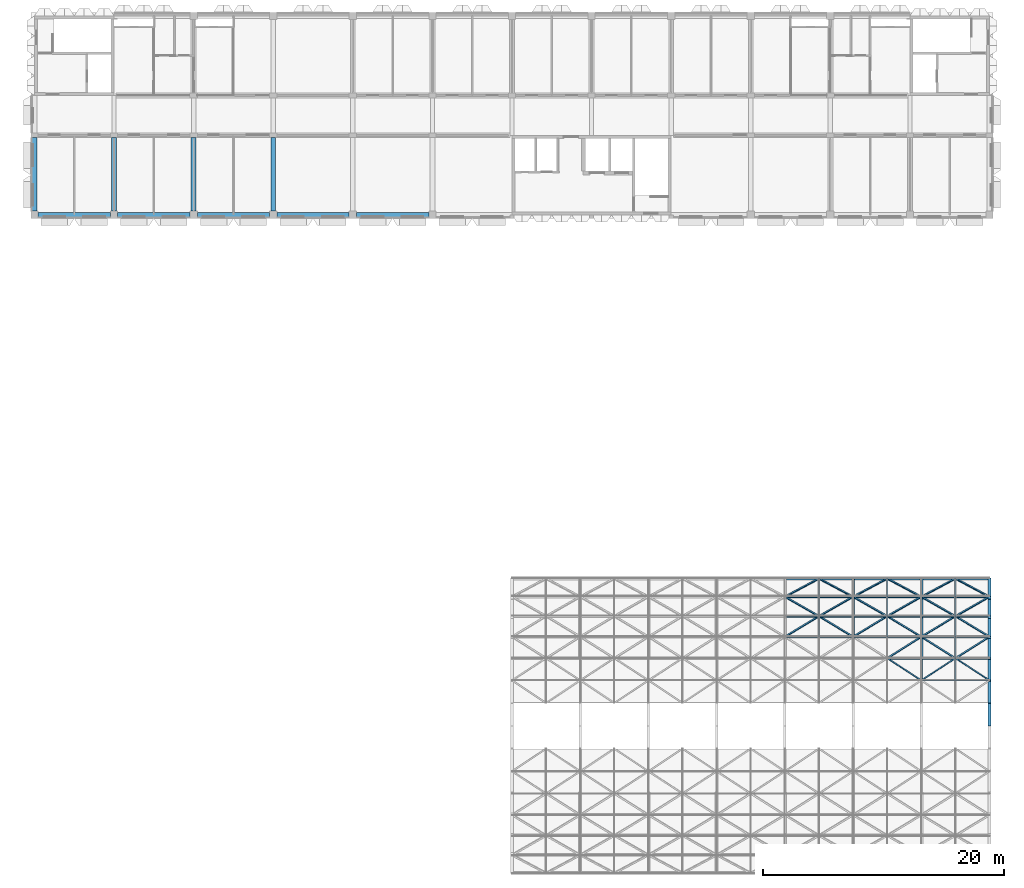
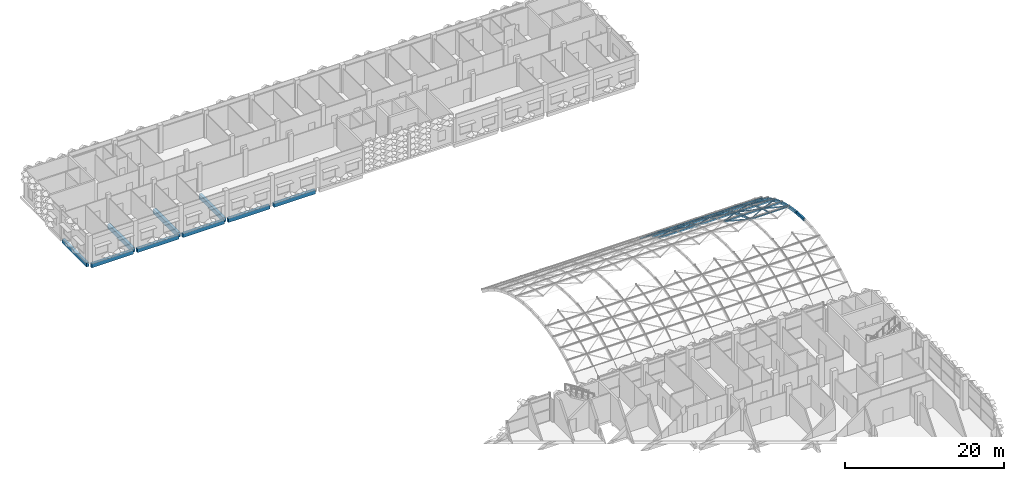
# One storey, part 17 of 85: 79 members, 9 beams.
"""IFC4 building model written with IfcOpenShell, lengths in metres."""

from ifc_helpers import new_model, si_unit, direction, frame, origin, origin_2d, place, context, subcontext, project, spatial, rectangle, hollow_rectangle, extrude, material, material_profile, profile_set, type_object, element, save


model = new_model("IFC4")

# Units and contexts
model_context = context("Model", 3, precision=1e-05, world=origin(), true_north=direction((0.0, 1.0)))
body_context = subcontext(model_context, "Body", "Model", "MODEL_VIEW")
ifc_project = project(units=[si_unit("LENGTHUNIT", "METRE"), si_unit("AREAUNIT", "SQUARE_METRE"), si_unit("VOLUMEUNIT", "CUBIC_METRE"), si_unit("PLANEANGLEUNIT", "RADIAN"), si_unit("MASSUNIT", "GRAM", prefix="KILO")], contexts=[model_context])

# Site, building, storey
site_placement = place(None, origin())
site = spatial("IfcSite", under=ifc_project, at=site_placement, CompositionType="ELEMENT")
building_placement = place(site_placement, origin())
building = spatial("IfcBuilding", under=site, at=building_placement, Name="Lantern Court Research Institute", CompositionType="ELEMENT")
storey_placement = place(building_placement, frame((0.0, 0.0, 18.89990234375)))
storey = spatial("IfcBuildingStorey", under=building, at=storey_placement, Name="L04", CompositionType="ELEMENT", Elevation=18.89990234375)

# Members
ifc_material_1 = material(Name="Structural steel S355", Category="steel")
ifc_material_profile_1 = material_profile(ifc_material_1, hollow_rectangle(XDim=0.25, YDim=0.39990234375, WallThickness=0.01611328125, at=origin_2d()), Name="Gable arch RHS 400 x 250 x 16")
ifc_profile_set_1 = profile_set([ifc_material_profile_1], Name="Structural steel S355")
member_type_1 = type_object("IfcMemberType", Name="Gable arch RHS 400 x 250 x 16", PredefinedType="RAFTER", material=ifc_profile_set_1)
member_1_placement = place(storey_placement, frame((79.199951171875, 40.114990234375, 4.500244140625), z_axis=(0.0, 0.998733707136, -0.050308868311), x_axis=(-1.0, 0.0, 0.0)))
element("IfcMember", 1, at=member_1_placement, inside=storey, type_object=member_type_1, Name="Gable arch", PredefinedType="RAFTER", context=body_context, shape_type="SweptSolid", body=[
    extrude(hollow_rectangle(XDim=0.25, YDim=0.39990234375, WallThickness=0.01611328125, at=origin_2d()), origin(), (0.0, 0.0, 1.0), 1.90234375),
])
for number, where, z_axis, x_axis, name in (
    (2, (79.199951171875, 41.994873046875, 4.40673828125), (0.0, 0.988606386846, -0.150523791767), (-1.0, 0.0, 0.0), "Gable arch"),
    (3, (79.199951171875, 43.85595703125, 4.124267578125), (0.0, 0.968482319701, -0.249082308538), (-1.0, 0.0, 0.0), "Gable arch"),
    (4, (79.199951171875, 45.67919921875, 3.656494140625), (0.0, 0.938535764551, -0.345182008018), (-1.0, 0.0, 0.0), "Gable arch"),
):
    element("IfcMember", number, at=place(storey_placement, frame(where, z_axis=z_axis, x_axis=x_axis)), inside=storey, type_object=member_type_1, Name=name, PredefinedType="RAFTER", context=body_context, shape_type="SweptSolid", body=[
        extrude(hollow_rectangle(XDim=0.25, YDim=0.39990234375, WallThickness=0.01611328125, at=origin_2d()), origin(), (0.0, 0.0, 1.0), 1.902587890625),
    ])
member_2_placement = place(storey_placement, frame((79.199951171875, 47.4462890625, 3.007568359375), z_axis=(0.0, 0.899099966644, -0.437743360865), x_axis=(-1.0, 0.0, 0.0)))
element("IfcMember", 5, at=member_2_placement, inside=storey, type_object=member_type_1, Name="Gable arch", PredefinedType="RAFTER", context=body_context, shape_type="SweptSolid", body=[
    extrude(hollow_rectangle(XDim=0.25, YDim=0.39990234375, WallThickness=0.01611328125, at=origin_2d()), origin(), (0.0, 0.0, 1.0), 1.90234375),
])
member_3_placement = place(storey_placement, frame((79.199951171875, 49.138916015625, 2.1845703125), z_axis=(0.0, 0.850497510265, -0.525979072809), x_axis=(-1.0, 0.0, 0.0)))
element("IfcMember", 6, at=member_3_placement, inside=storey, type_object=member_type_1, Name="Gable arch", PredefinedType="RAFTER", context=body_context, shape_type="SweptSolid", body=[
    extrude(hollow_rectangle(XDim=0.25, YDim=0.39990234375, WallThickness=0.01611328125, at=origin_2d()), origin(), (0.0, 0.0, 1.0), 1.902587890625),
])
member_4_placement = place(storey_placement, frame((79.199951171875, 50.740478515625, 1.1953125), z_axis=(0.0, 0.793329505358, -0.608792490039), x_axis=(-1.0, 0.0, 0.0)))
element("IfcMember", 7, at=member_4_placement, inside=storey, type_object=member_type_1, Name="Gable arch", PredefinedType="RAFTER", context=body_context, shape_type="SweptSolid", body=[
    extrude(hollow_rectangle(XDim=0.25, YDim=0.39990234375, WallThickness=0.01611328125, at=origin_2d()), origin(), (0.0, 0.0, 1.0), 1.90234375),
])
ifc_material_2 = material(Name="Structural steel S355", Category="steel")
ifc_material_profile_2 = material_profile(ifc_material_2, hollow_rectangle(XDim=0.080078125, YDim=0.159912109375, WallThickness=0.00634765625, at=origin_2d()), Name="Gridshell crown purlin RHS 160 x 80 x 6.3")
ifc_profile_set_2 = profile_set([ifc_material_profile_2], Name="Structural steel S355")
member_type_2 = type_object("IfcMemberType", Name="Gridshell crown purlin RHS 160 x 80 x 6.3", PredefinedType="PURLIN", material=ifc_profile_set_2)
member_5_placement = place(storey_placement, frame((73.642822265625, 43.889892578125, 4.23974609375), z_axis=(1.0, 0.0, 0.0), x_axis=(0.0, 0.979787176632, -0.200042716708)))
element("IfcMember", 8, at=member_5_placement, inside=storey, type_object=member_type_2, Name="Gridshell purlin", PredefinedType="PURLIN", context=body_context, shape_type="SweptSolid", body=[
    extrude(hollow_rectangle(XDim=0.080078125, YDim=0.159912109375, WallThickness=0.00634765625, at=origin_2d()), origin(), (0.0, 0.0, 1.0), 2.668701171875),
])
member_6_placement = place(storey_placement, frame((76.431396484375, 43.889892578125, 4.23974609375), z_axis=(1.0, 0.0, 0.0), x_axis=(0.0, 0.979787176632, -0.200042716708)))
element("IfcMember", 9, at=member_6_placement, inside=storey, type_object=member_type_2, Name="Gridshell purlin", PredefinedType="PURLIN", context=body_context, shape_type="SweptSolid", body=[
    extrude(hollow_rectangle(XDim=0.080078125, YDim=0.159912109375, WallThickness=0.00634765625, at=origin_2d()), origin(), (0.0, 0.0, 1.0), 2.6435546875),
])
ifc_material_3 = material(Name="Structural steel S355", Category="steel")
ifc_material_profile_3 = material_profile(ifc_material_3, hollow_rectangle(XDim=0.199951171875, YDim=0.300048828125, WallThickness=0.012451171875, at=origin_2d()), Name="Gridshell crown rib RHS 300 x 200 x 12.5")
ifc_profile_set_3 = profile_set([ifc_material_profile_3], Name="Structural steel S355")
member_type_3 = type_object("IfcMemberType", Name="Gridshell crown rib RHS 300 x 200 x 12.5", PredefinedType="RAFTER", material=ifc_profile_set_3)
member_7_placement = place(storey_placement, frame((73.54296875, 43.868408203125, 4.1728515625), z_axis=(0.0, 0.968482319701, -0.249082308538), x_axis=(-1.0, 0.0, 0.0)))
element("IfcMember", 10, at=member_7_placement, inside=storey, type_object=member_type_3, Name="Gridshell rib", PredefinedType="RAFTER", context=body_context, shape_type="SweptSolid", body=[
    extrude(hollow_rectangle(XDim=0.199951171875, YDim=0.300048828125, WallThickness=0.012451171875, at=origin_2d()), origin(), (0.0, 0.0, 1.0), 1.902587890625),
])
ifc_material_4 = material(Name="Structural steel S355", Category="steel")
ifc_material_profile_4 = material_profile(ifc_material_4, hollow_rectangle(XDim=0.10009765625, YDim=0.10009765625, WallThickness=0.00634765625, at=origin_2d()), Name="Gridshell diagonal RHS 100 x 100 x 6.3")
ifc_profile_set_4 = profile_set([ifc_material_profile_4], Name="Structural steel S355")
member_type_4 = type_object("IfcMemberType", Name="Gridshell diagonal RHS 100 x 100 x 6.3", PredefinedType="BRACE", material=ifc_profile_set_4)
member_8_placement = place(storey_placement, frame((73.54296875, 43.893310546875, 4.26953125), z_axis=(-0.829775619624, 0.540507215717, -0.139012124779), x_axis=(-0.558097142967, -0.803618783295, 0.206698887629)))
element("IfcMember", 11, at=member_8_placement, inside=storey, type_object=member_type_4, Name="Gridshell diagonal", PredefinedType="BRACE", context=body_context, shape_type="SweptSolid", body=[
    extrude(hollow_rectangle(XDim=0.10009765625, YDim=0.10009765625, WallThickness=0.00634765625, at=origin_2d()), origin(), (0.0, 0.0, 1.0), 3.408935546875),
])
member_9_placement = place(storey_placement, frame((73.54296875, 43.893310546875, 4.26953125), z_axis=(0.829753310349, 0.540539338213, -0.139020386309), x_axis=(-0.558130310777, 0.803595810166, -0.20669864556)))
element("IfcMember", 12, at=member_9_placement, inside=storey, type_object=member_type_4, Name="Gridshell diagonal", PredefinedType="BRACE", context=body_context, shape_type="SweptSolid", body=[
    extrude(hollow_rectangle(XDim=0.10009765625, YDim=0.10009765625, WallThickness=0.00634765625, at=origin_2d()), origin(), (0.0, 0.0, 1.0), 3.40869140625),
])
member_10_placement = place(storey_placement, frame((79.199951171875, 43.893310546875, 4.26953125), z_axis=(-0.829775619624, 0.540507215717, -0.139012124779), x_axis=(-0.558097142967, -0.803618783295, 0.206698887629)))
element("IfcMember", 13, at=member_10_placement, inside=storey, type_object=member_type_4, Name="Gridshell diagonal", PredefinedType="BRACE", context=body_context, shape_type="SweptSolid", body=[
    extrude(hollow_rectangle(XDim=0.10009765625, YDim=0.10009765625, WallThickness=0.00634765625, at=origin_2d()), origin(), (0.0, 0.0, 1.0), 3.408935546875),
])
ifc_material_5 = material(Name="Structural steel S355", Category="steel")
ifc_material_profile_5 = material_profile(ifc_material_5, hollow_rectangle(XDim=0.1201171875, YDim=0.1201171875, WallThickness=0.008056640625, at=origin_2d()), Name="Gridshell haunch diagonal RHS 120 x 120 x 8")
ifc_profile_set_5 = profile_set([ifc_material_profile_5], Name="Structural steel S355")
member_type_5 = type_object("IfcMemberType", Name="Gridshell haunch diagonal RHS 120 x 120 x 8", PredefinedType="BRACE", material=ifc_profile_set_5)
for number, where, z_axis, x_axis, name in (
    (14, (62.228515625, 47.507568359375, 3.133544921875), (0.829773300042, 0.501760032806, -0.244362722229), (-0.558100591295, 0.746025342522, -0.363276641571), "Gridshell diagonal"),
    (15, (65.05712890625, 49.212646484375, 2.303466796875), (-0.82977711353, 0.474690377048, -0.293494442538), (-0.558094919699, -0.705724175305, 0.436444096072), "Gridshell diagonal"),
    (16, (62.228515625, 50.82568359375, 1.306396484375), (0.82977993963, 0.442749834869, -0.339761439117), (-0.558090719968, 0.658279580966, -0.505175951099), "Gridshell diagonal"),
    (17, (67.8857421875, 47.507568359375, 3.133544921875), (-0.829773300042, 0.501760032806, -0.244362722229), (-0.558100591295, -0.746025342522, 0.363276641571), "Gridshell diagonal"),
    (18, (65.05712890625, 49.212646484375, 2.303466796875), (0.82977711353, 0.474690377048, -0.293494442538), (-0.558094919699, 0.705724175305, -0.436444096072), "Gridshell diagonal"),
    (19, (67.8857421875, 50.82568359375, 1.306396484375), (-0.82977993963, 0.442749834869, -0.339761439117), (-0.558090719968, -0.658279580966, 0.505175951099), "Gridshell diagonal"),
    (20, (67.8857421875, 47.507568359375, 3.133544921875), (0.829773300042, 0.501760032806, -0.244362722229), (-0.558100591295, 0.746025342522, -0.363276641571), "Gridshell diagonal"),
    (21, (70.71435546875, 49.212646484375, 2.303466796875), (-0.82977711353, 0.474690377048, -0.293494442538), (-0.558094919699, -0.705724175305, 0.436444096072), "Gridshell diagonal"),
    (22, (67.8857421875, 50.82568359375, 1.306396484375), (0.82977993963, 0.442749834869, -0.339761439117), (-0.558090719968, 0.658279580966, -0.505175951099), "Gridshell diagonal"),
    (23, (70.71435546875, 45.7275390625, 3.787841796875), (0.829762838758, 0.523811962945, -0.192651651671), (-0.558116144955, 0.778754373318, -0.286440211525), "Gridshell diagonal"),
    (24, (73.54296875, 47.507568359375, 3.133544921875), (-0.829773300042, 0.501760032806, -0.244362722229), (-0.558100591295, -0.746025342522, 0.363276641571), "Gridshell diagonal"),
    (25, (70.71435546875, 49.212646484375, 2.303466796875), (0.82977711353, 0.474690377048, -0.293494442538), (-0.558094919699, 0.705724175305, -0.436444096072), "Gridshell diagonal"),
    (26, (73.54296875, 50.82568359375, 1.306396484375), (-0.82977993963, 0.442749834869, -0.339761439117), (-0.558090719968, -0.658279580966, 0.505175951099), "Gridshell diagonal"),
):
    element("IfcMember", number, at=place(storey_placement, frame(where, z_axis=z_axis, x_axis=x_axis)), inside=storey, type_object=member_type_5, Name=name, PredefinedType="BRACE", context=body_context, shape_type="SweptSolid", body=[
        extrude(hollow_rectangle(XDim=0.1201171875, YDim=0.1201171875, WallThickness=0.008056640625, at=origin_2d()), origin(), (0.0, 0.0, 1.0), 3.408935546875),
    ])
for number, where, z_axis, x_axis, name in (
    (27, (76.371337890625, 45.7275390625, 3.787841796875), (-0.829740528308, 0.523843092278, -0.19266310066), (-0.558149312823, -0.778730842923, 0.28643955536), "Gridshell diagonal"),
    (28, (73.54296875, 47.507568359375, 3.133544921875), (0.829750990554, 0.50178985238, -0.244377244693), (-0.558133759376, 0.746001196046, -0.363275270481), "Gridshell diagonal"),
    (29, (76.371337890625, 49.212646484375, 2.303466796875), (-0.829754804392, 0.474718588132, -0.293511885058), (-0.55812808698, -0.705699457062, 0.436441651113), "Gridshell diagonal"),
    (30, (73.54296875, 50.82568359375, 1.306396484375), (0.829757630752, 0.442776147891, -0.339781631445), (-0.558123887656, 0.658254466927, -0.505172032874), "Gridshell diagonal"),
):
    element("IfcMember", number, at=place(storey_placement, frame(where, z_axis=z_axis, x_axis=x_axis)), inside=storey, type_object=member_type_5, Name=name, PredefinedType="BRACE", context=body_context, shape_type="SweptSolid", body=[
        extrude(hollow_rectangle(XDim=0.1201171875, YDim=0.1201171875, WallThickness=0.008056640625, at=origin_2d()), origin(), (0.0, 0.0, 1.0), 3.40869140625),
    ])
for number, where, z_axis, x_axis, name in (
    (31, (76.371337890625, 45.7275390625, 3.787841796875), (0.829762838758, 0.523811962945, -0.192651651671), (-0.558116144955, 0.778754373318, -0.286440211525), "Gridshell diagonal"),
    (32, (79.199951171875, 47.507568359375, 3.133544921875), (-0.829773300042, 0.501760032806, -0.244362722229), (-0.558100591295, -0.746025342522, 0.363276641571), "Gridshell diagonal"),
    (33, (76.371337890625, 49.212646484375, 2.303466796875), (0.82977711353, 0.474690377048, -0.293494442538), (-0.558094919699, 0.705724175305, -0.436444096072), "Gridshell diagonal"),
    (34, (79.199951171875, 50.82568359375, 1.306396484375), (-0.82977993963, 0.442749834869, -0.339761439117), (-0.558090719968, -0.658279580966, 0.505175951099), "Gridshell diagonal"),
):
    element("IfcMember", number, at=place(storey_placement, frame(where, z_axis=z_axis, x_axis=x_axis)), inside=storey, type_object=member_type_5, Name=name, PredefinedType="BRACE", context=body_context, shape_type="SweptSolid", body=[
        extrude(hollow_rectangle(XDim=0.1201171875, YDim=0.1201171875, WallThickness=0.008056640625, at=origin_2d()), origin(), (0.0, 0.0, 1.0), 3.408935546875),
    ])
ifc_material_6 = material(Name="Structural steel S355", Category="steel")
ifc_material_profile_6 = material_profile(ifc_material_6, hollow_rectangle(XDim=0.25, YDim=0.35009765625, WallThickness=0.01611328125, at=origin_2d()), Name="Gridshell haunch rib RHS 350 x 250 x 16")
ifc_profile_set_6 = profile_set([ifc_material_profile_6], Name="Structural steel S355")
member_type_6 = type_object("IfcMemberType", Name="Gridshell haunch rib RHS 350 x 250 x 16", PredefinedType="RAFTER", material=ifc_profile_set_6)
member_11_placement = place(storey_placement, frame((67.8857421875, 47.457275390625, 3.030029296875), z_axis=(0.0, 0.899099966644, -0.437743360865), x_axis=(-1.0, 0.0, 0.0)))
element("IfcMember", 35, at=member_11_placement, inside=storey, type_object=member_type_6, Name="Gridshell rib", PredefinedType="RAFTER", context=body_context, shape_type="SweptSolid", body=[
    extrude(hollow_rectangle(XDim=0.25, YDim=0.35009765625, WallThickness=0.01611328125, at=origin_2d()), origin(), (0.0, 0.0, 1.0), 1.90234375),
])
member_12_placement = place(storey_placement, frame((67.8857421875, 49.152099609375, 2.205810546875), z_axis=(0.0, 0.850497510265, -0.525979072809), x_axis=(-1.0, 0.0, 0.0)))
element("IfcMember", 36, at=member_12_placement, inside=storey, type_object=member_type_6, Name="Gridshell rib", PredefinedType="RAFTER", context=body_context, shape_type="SweptSolid", body=[
    extrude(hollow_rectangle(XDim=0.25, YDim=0.35009765625, WallThickness=0.01611328125, at=origin_2d()), origin(), (0.0, 0.0, 1.0), 1.902587890625),
])
for number, where, z_axis, x_axis, name in (
    (37, (67.8857421875, 50.755615234375, 1.215087890625), (0.0, 0.793329505358, -0.608792490039), (-1.0, 0.0, 0.0), "Gridshell rib"),
    (38, (73.54296875, 45.68798828125, 3.679931640625), (0.0, 0.938520472327, -0.345223584105), (-1.0, 0.0, 0.0), "Gridshell rib"),
    (39, (73.54296875, 47.457275390625, 3.030029296875), (0.0, 0.899099966644, -0.437743360865), (-1.0, 0.0, 0.0), "Gridshell rib"),
):
    element("IfcMember", number, at=place(storey_placement, frame(where, z_axis=z_axis, x_axis=x_axis)), inside=storey, type_object=member_type_6, Name=name, PredefinedType="RAFTER", context=body_context, shape_type="SweptSolid", body=[
        extrude(hollow_rectangle(XDim=0.25, YDim=0.35009765625, WallThickness=0.01611328125, at=origin_2d()), origin(), (0.0, 0.0, 1.0), 1.90234375),
    ])
member_13_placement = place(storey_placement, frame((73.54296875, 49.152099609375, 2.205810546875), z_axis=(0.0, 0.850497510265, -0.525979072809), x_axis=(-1.0, 0.0, 0.0)))
element("IfcMember", 40, at=member_13_placement, inside=storey, type_object=member_type_6, Name="Gridshell rib", PredefinedType="RAFTER", context=body_context, shape_type="SweptSolid", body=[
    extrude(hollow_rectangle(XDim=0.25, YDim=0.35009765625, WallThickness=0.01611328125, at=origin_2d()), origin(), (0.0, 0.0, 1.0), 1.902587890625),
])
member_14_placement = place(storey_placement, frame((73.54296875, 50.755615234375, 1.215087890625), z_axis=(0.0, 0.793329505358, -0.608792490039), x_axis=(-1.0, 0.0, 0.0)))
element("IfcMember", 41, at=member_14_placement, inside=storey, type_object=member_type_6, Name="Gridshell rib", PredefinedType="RAFTER", context=body_context, shape_type="SweptSolid", body=[
    extrude(hollow_rectangle(XDim=0.25, YDim=0.35009765625, WallThickness=0.01611328125, at=origin_2d()), origin(), (0.0, 0.0, 1.0), 1.90234375),
])
ifc_material_7 = material(Name="Structural steel S355", Category="steel")
ifc_material_profile_7 = material_profile(ifc_material_7, hollow_rectangle(XDim=0.10009765625, YDim=0.199951171875, WallThickness=0.008056640625, at=origin_2d()), Name="Gridshell purlin RHS 200 x 100 x 8")
ifc_profile_set_7 = profile_set([ifc_material_profile_7], Name="Structural steel S355")
member_type_7 = type_object("IfcMemberType", Name="Gridshell purlin RHS 200 x 100 x 8", PredefinedType="PURLIN", material=ifc_profile_set_7)
member_15_placement = place(storey_placement, frame((70.774169921875, 45.718505859375, 3.748779296875), z_axis=(1.0, 0.0, 0.0), x_axis=(0.0, 0.954713115517, -0.29752792652)))
element("IfcMember", 42, at=member_15_placement, inside=storey, type_object=member_type_7, Name="Gridshell purlin", PredefinedType="PURLIN", context=body_context, shape_type="SweptSolid", body=[
    extrude(hollow_rectangle(XDim=0.10009765625, YDim=0.199951171875, WallThickness=0.008056640625, at=origin_2d()), origin(), (0.0, 0.0, 1.0), 2.643798828125),
])
for number, where, z_axis, x_axis, name in (
    (43, (73.66796875, 45.718505859375, 3.748779296875), (1.0, 0.0, 0.0), (0.0, 0.954713115517, -0.29752792652), "Gridshell purlin"),
    (44, (76.431396484375, 45.718505859375, 3.748779296875), (1.0, 0.0, 0.0), (0.0, 0.954713115517, -0.29752792652), "Gridshell purlin"),
    (45, (62.353515625, 47.49462890625, 3.095458984375), (1.0, 0.0, 0.0), (0.0, 0.919965822984, -0.391998577219), "Gridshell purlin"),
    (46, (65.1171875, 47.49462890625, 3.095458984375), (1.0, 0.0, 0.0), (0.0, 0.919965822984, -0.391998577219), "Gridshell purlin"),
    (47, (68.0107421875, 47.49462890625, 3.095458984375), (1.0, 0.0, 0.0), (0.0, 0.919965822984, -0.391998577219), "Gridshell purlin"),
):
    element("IfcMember", number, at=place(storey_placement, frame(where, z_axis=z_axis, x_axis=x_axis)), inside=storey, type_object=member_type_7, Name=name, PredefinedType="PURLIN", context=body_context, shape_type="SweptSolid", body=[
        extrude(hollow_rectangle(XDim=0.10009765625, YDim=0.199951171875, WallThickness=0.008056640625, at=origin_2d()), origin(), (0.0, 0.0, 1.0), 2.6435546875),
    ])
member_16_placement = place(storey_placement, frame((70.774169921875, 47.49462890625, 3.095458984375), z_axis=(1.0, 0.0, 0.0), x_axis=(0.0, 0.919965822984, -0.391998577219)))
element("IfcMember", 48, at=member_16_placement, inside=storey, type_object=member_type_7, Name="Gridshell purlin", PredefinedType="PURLIN", context=body_context, shape_type="SweptSolid", body=[
    extrude(hollow_rectangle(XDim=0.10009765625, YDim=0.199951171875, WallThickness=0.008056640625, at=origin_2d()), origin(), (0.0, 0.0, 1.0), 2.643798828125),
])
for number, where, z_axis, x_axis, name in (
    (49, (73.66796875, 47.49462890625, 3.095458984375), (1.0, 0.0, 0.0), (0.0, 0.919965822984, -0.391998577219), "Gridshell purlin"),
    (50, (76.431396484375, 47.49462890625, 3.095458984375), (1.0, 0.0, 0.0), (0.0, 0.919965822984, -0.391998577219), "Gridshell purlin"),
    (51, (62.353515625, 49.196044921875, 2.266845703125), (1.0, 0.0, 0.0), (0.0, 0.875897373228, -0.482497452399), "Gridshell purlin"),
    (52, (65.1171875, 49.196044921875, 2.266845703125), (1.0, 0.0, 0.0), (0.0, 0.875897373228, -0.482497452399), "Gridshell purlin"),
    (53, (68.0107421875, 49.196044921875, 2.266845703125), (1.0, 0.0, 0.0), (0.0, 0.875897373228, -0.482497452399), "Gridshell purlin"),
):
    element("IfcMember", number, at=place(storey_placement, frame(where, z_axis=z_axis, x_axis=x_axis)), inside=storey, type_object=member_type_7, Name=name, PredefinedType="PURLIN", context=body_context, shape_type="SweptSolid", body=[
        extrude(hollow_rectangle(XDim=0.10009765625, YDim=0.199951171875, WallThickness=0.008056640625, at=origin_2d()), origin(), (0.0, 0.0, 1.0), 2.6435546875),
    ])
member_17_placement = place(storey_placement, frame((70.774169921875, 49.196044921875, 2.266845703125), z_axis=(1.0, 0.0, 0.0), x_axis=(0.0, 0.875897373228, -0.482497452399)))
element("IfcMember", 54, at=member_17_placement, inside=storey, type_object=member_type_7, Name="Gridshell purlin", PredefinedType="PURLIN", context=body_context, shape_type="SweptSolid", body=[
    extrude(hollow_rectangle(XDim=0.10009765625, YDim=0.199951171875, WallThickness=0.008056640625, at=origin_2d()), origin(), (0.0, 0.0, 1.0), 2.643798828125),
])
for number, where, z_axis, x_axis, name in (
    (55, (73.66796875, 49.196044921875, 2.266845703125), (1.0, 0.0, 0.0), (0.0, 0.875897373228, -0.482497452399), "Gridshell purlin"),
    (56, (76.431396484375, 49.196044921875, 2.266845703125), (1.0, 0.0, 0.0), (0.0, 0.875897373228, -0.482497452399), "Gridshell purlin"),
    (57, (62.353515625, 50.805419921875, 1.271728515625), (1.0, 0.0, 0.0), (0.0, 0.822954255966, -0.568107641726), "Gridshell purlin"),
    (58, (65.1171875, 50.805419921875, 1.271728515625), (1.0, 0.0, 0.0), (0.0, 0.822954255966, -0.568107641726), "Gridshell purlin"),
    (59, (68.0107421875, 50.805419921875, 1.271728515625), (1.0, 0.0, 0.0), (0.0, 0.822954255966, -0.568107641726), "Gridshell purlin"),
):
    element("IfcMember", number, at=place(storey_placement, frame(where, z_axis=z_axis, x_axis=x_axis)), inside=storey, type_object=member_type_7, Name=name, PredefinedType="PURLIN", context=body_context, shape_type="SweptSolid", body=[
        extrude(hollow_rectangle(XDim=0.10009765625, YDim=0.199951171875, WallThickness=0.008056640625, at=origin_2d()), origin(), (0.0, 0.0, 1.0), 2.6435546875),
    ])
member_18_placement = place(storey_placement, frame((70.774169921875, 50.805419921875, 1.271728515625), z_axis=(1.0, 0.0, 0.0), x_axis=(0.0, 0.822954255966, -0.568107641726)))
element("IfcMember", 60, at=member_18_placement, inside=storey, type_object=member_type_7, Name="Gridshell purlin", PredefinedType="PURLIN", context=body_context, shape_type="SweptSolid", body=[
    extrude(hollow_rectangle(XDim=0.10009765625, YDim=0.199951171875, WallThickness=0.008056640625, at=origin_2d()), origin(), (0.0, 0.0, 1.0), 2.643798828125),
])
for number, where, z_axis, x_axis, name in (
    (61, (73.66796875, 50.805419921875, 1.271728515625), (1.0, 0.0, 0.0), (0.0, 0.822954255966, -0.568107641726), "Gridshell purlin"),
    (62, (76.431396484375, 50.805419921875, 1.271728515625), (1.0, 0.0, 0.0), (0.0, 0.822954255966, -0.568107641726), "Gridshell purlin"),
    (63, (62.353515625, 52.306640625, 0.11962890625), (1.0, 0.0, 0.0), (0.0, 0.761672913152, -0.647961706717), "Gridshell purlin"),
    (64, (65.1171875, 52.306640625, 0.11962890625), (1.0, 0.0, 0.0), (0.0, 0.761672913152, -0.647961706717), "Gridshell purlin"),
    (65, (68.0107421875, 52.306640625, 0.11962890625), (1.0, 0.0, 0.0), (0.0, 0.761672913152, -0.647961706717), "Gridshell purlin"),
):
    element("IfcMember", number, at=place(storey_placement, frame(where, z_axis=z_axis, x_axis=x_axis)), inside=storey, type_object=member_type_7, Name=name, PredefinedType="PURLIN", context=body_context, shape_type="SweptSolid", body=[
        extrude(hollow_rectangle(XDim=0.10009765625, YDim=0.199951171875, WallThickness=0.008056640625, at=origin_2d()), origin(), (0.0, 0.0, 1.0), 2.6435546875),
    ])
member_19_placement = place(storey_placement, frame((70.774169921875, 52.306640625, 0.11962890625), z_axis=(1.0, 0.0, 0.0), x_axis=(0.0, 0.761672913152, -0.647961706717)))
element("IfcMember", 66, at=member_19_placement, inside=storey, type_object=member_type_7, Name="Gridshell purlin", PredefinedType="PURLIN", context=body_context, shape_type="SweptSolid", body=[
    extrude(hollow_rectangle(XDim=0.10009765625, YDim=0.199951171875, WallThickness=0.008056640625, at=origin_2d()), origin(), (0.0, 0.0, 1.0), 2.643798828125),
])
for number, where, z_axis, x_axis, name in (
    (67, (73.66796875, 52.306640625, 0.11962890625), (1.0, 0.0, 0.0), (0.0, 0.761672913152, -0.647961706717), "Gridshell purlin"),
    (68, (76.431396484375, 52.306640625, 0.11962890625), (1.0, 0.0, 0.0), (0.0, 0.761672913152, -0.647961706717), "Gridshell purlin"),
):
    element("IfcMember", number, at=place(storey_placement, frame(where, z_axis=z_axis, x_axis=x_axis)), inside=storey, type_object=member_type_7, Name=name, PredefinedType="PURLIN", context=body_context, shape_type="SweptSolid", body=[
        extrude(hollow_rectangle(XDim=0.10009765625, YDim=0.199951171875, WallThickness=0.008056640625, at=origin_2d()), origin(), (0.0, 0.0, 1.0), 2.6435546875),
    ])
ifc_material_8 = material(Name="Structural steel S355", Category="steel")
ifc_material_profile_8 = material_profile(ifc_material_8, hollow_rectangle(XDim=0.1201171875, YDim=0.199951171875, WallThickness=0.008056640625, at=origin_2d()), Name="Gridshell secondary rib RHS 200 x 120 x 8")
ifc_profile_set_8 = profile_set([ifc_material_profile_8], Name="Structural steel S355")
member_type_8 = type_object("IfcMemberType", Name="Gridshell secondary rib RHS 200 x 120 x 8", PredefinedType="RAFTER", material=ifc_profile_set_8)
member_20_placement = place(storey_placement, frame((65.05712890625, 47.489990234375, 3.09765625), z_axis=(0.0, 0.899049454889, -0.437847093931), x_axis=(-1.0, 0.0, 0.0)))
element("IfcMember", 69, at=member_20_placement, inside=storey, type_object=member_type_8, Name="Gridshell secondary rib", PredefinedType="RAFTER", context=body_context, shape_type="SweptSolid", body=[
    extrude(hollow_rectangle(XDim=0.1201171875, YDim=0.199951171875, WallThickness=0.008056640625, at=origin_2d()), origin(), (0.0, 0.0, 1.0), 1.902587890625),
])
for number, where, z_axis, x_axis, name in (
    (70, (65.05712890625, 49.191650390625, 2.26953125), (0.0, 0.850462004525, -0.526036480541), (-1.0, 0.0, 0.0), "Gridshell secondary rib"),
    (71, (65.05712890625, 50.80126953125, 1.274658203125), (0.0, 0.793329505358, -0.608792490039), (-1.0, 0.0, 0.0), "Gridshell secondary rib"),
):
    element("IfcMember", number, at=place(storey_placement, frame(where, z_axis=z_axis, x_axis=x_axis)), inside=storey, type_object=member_type_8, Name=name, PredefinedType="RAFTER", context=body_context, shape_type="SweptSolid", body=[
        extrude(hollow_rectangle(XDim=0.1201171875, YDim=0.199951171875, WallThickness=0.008056640625, at=origin_2d()), origin(), (0.0, 0.0, 1.0), 1.90234375),
    ])
member_21_placement = place(storey_placement, frame((70.71435546875, 47.489990234375, 3.09765625), z_axis=(0.0, 0.899049454889, -0.437847093931), x_axis=(-1.0, 0.0, 0.0)))
element("IfcMember", 72, at=member_21_placement, inside=storey, type_object=member_type_8, Name="Gridshell secondary rib", PredefinedType="RAFTER", context=body_context, shape_type="SweptSolid", body=[
    extrude(hollow_rectangle(XDim=0.1201171875, YDim=0.199951171875, WallThickness=0.008056640625, at=origin_2d()), origin(), (0.0, 0.0, 1.0), 1.902587890625),
])
for number, where, z_axis, x_axis, name in (
    (73, (70.71435546875, 49.191650390625, 2.26953125), (0.0, 0.850462004525, -0.526036480541), (-1.0, 0.0, 0.0), "Gridshell secondary rib"),
    (74, (70.71435546875, 50.80126953125, 1.274658203125), (0.0, 0.793329505358, -0.608792490039), (-1.0, 0.0, 0.0), "Gridshell secondary rib"),
):
    element("IfcMember", number, at=place(storey_placement, frame(where, z_axis=z_axis, x_axis=x_axis)), inside=storey, type_object=member_type_8, Name=name, PredefinedType="RAFTER", context=body_context, shape_type="SweptSolid", body=[
        extrude(hollow_rectangle(XDim=0.1201171875, YDim=0.199951171875, WallThickness=0.008056640625, at=origin_2d()), origin(), (0.0, 0.0, 1.0), 1.90234375),
    ])
member_22_placement = place(storey_placement, frame((76.371337890625, 43.880859375, 4.22119140625), z_axis=(0.0, 0.968482319701, -0.249082308538), x_axis=(-1.0, 0.0, 0.0)))
element("IfcMember", 75, at=member_22_placement, inside=storey, type_object=member_type_8, Name="Gridshell secondary rib", PredefinedType="RAFTER", context=body_context, shape_type="SweptSolid", body=[
    extrude(hollow_rectangle(XDim=0.1201171875, YDim=0.199951171875, WallThickness=0.008056640625, at=origin_2d()), origin(), (0.0, 0.0, 1.0), 1.902587890625),
])
member_23_placement = place(storey_placement, frame((76.371337890625, 45.7138671875, 3.750244140625), z_axis=(0.0, 0.938520472327, -0.345223584105), x_axis=(-1.0, 0.0, 0.0)))
element("IfcMember", 76, at=member_23_placement, inside=storey, type_object=member_type_8, Name="Gridshell secondary rib", PredefinedType="RAFTER", context=body_context, shape_type="SweptSolid", body=[
    extrude(hollow_rectangle(XDim=0.1201171875, YDim=0.199951171875, WallThickness=0.008056640625, at=origin_2d()), origin(), (0.0, 0.0, 1.0), 1.90234375),
])
member_24_placement = place(storey_placement, frame((76.371337890625, 47.489990234375, 3.09765625), z_axis=(0.0, 0.899049454889, -0.437847093931), x_axis=(-1.0, 0.0, 0.0)))
element("IfcMember", 77, at=member_24_placement, inside=storey, type_object=member_type_8, Name="Gridshell secondary rib", PredefinedType="RAFTER", context=body_context, shape_type="SweptSolid", body=[
    extrude(hollow_rectangle(XDim=0.1201171875, YDim=0.199951171875, WallThickness=0.008056640625, at=origin_2d()), origin(), (0.0, 0.0, 1.0), 1.902587890625),
])
for number, where, z_axis, x_axis, name in (
    (78, (76.371337890625, 49.191650390625, 2.26953125), (0.0, 0.850462004525, -0.526036480541), (-1.0, 0.0, 0.0), "Gridshell secondary rib"),
    (79, (76.371337890625, 50.80126953125, 1.274658203125), (0.0, 0.793329505358, -0.608792490039), (-1.0, 0.0, 0.0), "Gridshell secondary rib"),
):
    element("IfcMember", number, at=place(storey_placement, frame(where, z_axis=z_axis, x_axis=x_axis)), inside=storey, type_object=member_type_8, Name=name, PredefinedType="RAFTER", context=body_context, shape_type="SweptSolid", body=[
        extrude(hollow_rectangle(XDim=0.1201171875, YDim=0.199951171875, WallThickness=0.008056640625, at=origin_2d()), origin(), (0.0, 0.0, 1.0), 1.90234375),
    ])

# Beams
ifc_material_9 = material(Name="Concrete C40/50", Category="concrete")
ifc_material_profile_9 = material_profile(ifc_material_9, rectangle(XDim=0.39990234375, YDim=0.699951171875, at=origin_2d()), Name="RC beam 400 x 700")
ifc_profile_set_9 = profile_set([ifc_material_profile_9], Name="Concrete C40/50")
beam_type_1 = type_object("IfcBeamType", Name="RC beam 400 x 700", PredefinedType="BEAM", material=ifc_profile_set_9)
for number, where, z_axis, x_axis, name in (
    (80, (6.60009765625, 82.800048828125, -0.599853515625), (0.0, 1.0, 0.0), (-1.0, 0.0, 0.0), "Beam L04 grid 2/J-K"),
    (81, (13.199951171875, 82.800048828125, -0.599853515625), (0.0, 1.0, 0.0), (-1.0, 0.0, 0.0), "Beam L04 grid 3/J-K"),
    (82, (19.800048828125, 82.800048828125, -0.599853515625), (0.0, 1.0, 0.0), (-1.0, 0.0, 0.0), "Beam L04 grid 4/J-K"),
):
    element("IfcBeam", number, at=place(storey_placement, frame(where, z_axis=z_axis, x_axis=x_axis)), inside=storey, type_object=beam_type_1, Name=name, PredefinedType="BEAM", context=body_context, shape_type="SweptSolid", body=[
        extrude(rectangle(XDim=0.39990234375, YDim=0.699951171875, at=origin_2d()), origin(), (0.0, 0.0, 1.0), 6.099853515625),
    ])
ifc_material_10 = material(Name="Concrete C40/50", Category="concrete")
ifc_material_profile_10 = material_profile(ifc_material_10, rectangle(XDim=0.39990234375, YDim=0.60009765625, at=origin_2d()), Name="RC beam 400 x 600")
ifc_profile_set_10 = profile_set([ifc_material_profile_10], Name="Concrete C40/50")
beam_type_2 = type_object("IfcBeamType", Name="RC edge beam 400 x 600", PredefinedType="BEAM", material=ifc_profile_set_10)
beam_placement = place(storey_placement, frame((0.0, 82.800048828125, -0.5498046875), z_axis=(0.0, 1.0, 0.0), x_axis=(-1.0, 0.0, 0.0)))
element("IfcBeam", 83, at=beam_placement, inside=storey, type_object=beam_type_2, Name="Edge beam L04 grid 1/J-K", PredefinedType="BEAM", context=body_context, shape_type="SweptSolid", body=[
    extrude(rectangle(XDim=0.39990234375, YDim=0.60009765625, at=origin_2d()), origin(), (0.0, 0.0, 1.0), 6.099853515625),
])
for number, where, z_axis, x_axis, name in (
    (84, (0.300048828125, 82.5, -0.5498046875), (1.0, 0.0, 0.0), (0.0, 1.0, 0.0), "Edge beam L04 grid J/1-2"),
    (85, (6.89990234375, 82.5, -0.5498046875), (1.0, 0.0, 0.0), (0.0, 1.0, 0.0), "Edge beam L04 grid J/2-3"),
    (86, (13.5, 82.5, -0.5498046875), (1.0, 0.0, 0.0), (0.0, 1.0, 0.0), "Edge beam L04 grid J/3-4"),
    (87, (20.10009765625, 82.5, -0.5498046875), (1.0, 0.0, 0.0), (0.0, 1.0, 0.0), "Edge beam L04 grid J/4-5"),
    (88, (26.699951171875, 82.5, -0.5498046875), (1.0, 0.0, 0.0), (0.0, 1.0, 0.0), "Edge beam L04 grid J/5-6"),
):
    element("IfcBeam", number, at=place(storey_placement, frame(where, z_axis=z_axis, x_axis=x_axis)), inside=storey, type_object=beam_type_2, Name=name, PredefinedType="BEAM", context=body_context, shape_type="SweptSolid", body=[
        extrude(rectangle(XDim=0.39990234375, YDim=0.60009765625, at=origin_2d()), origin(), (0.0, 0.0, 1.0), 6.0),
    ])

save(model, "model.ifc")
